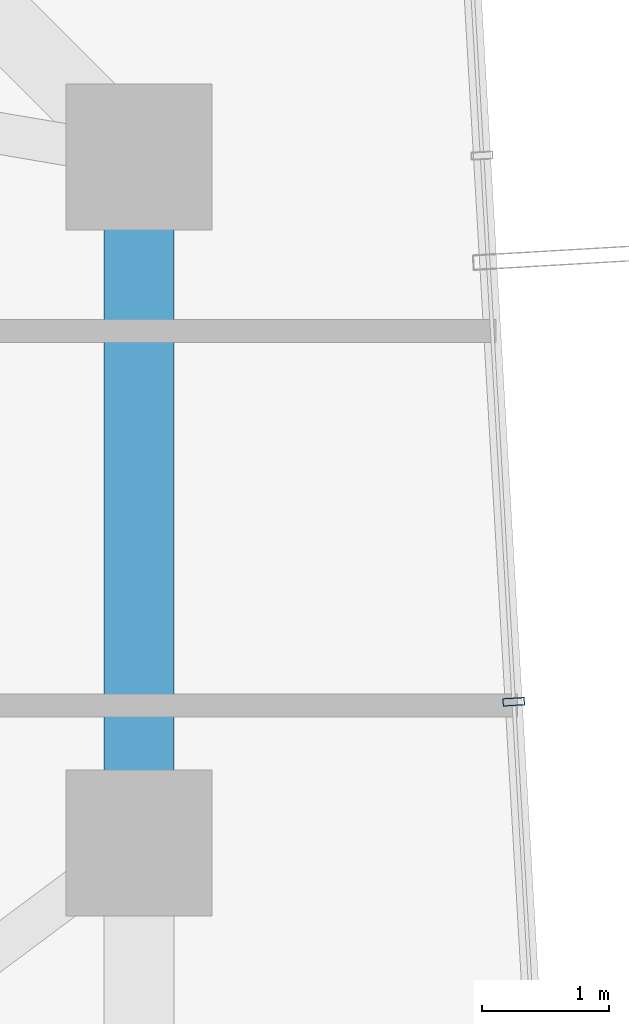
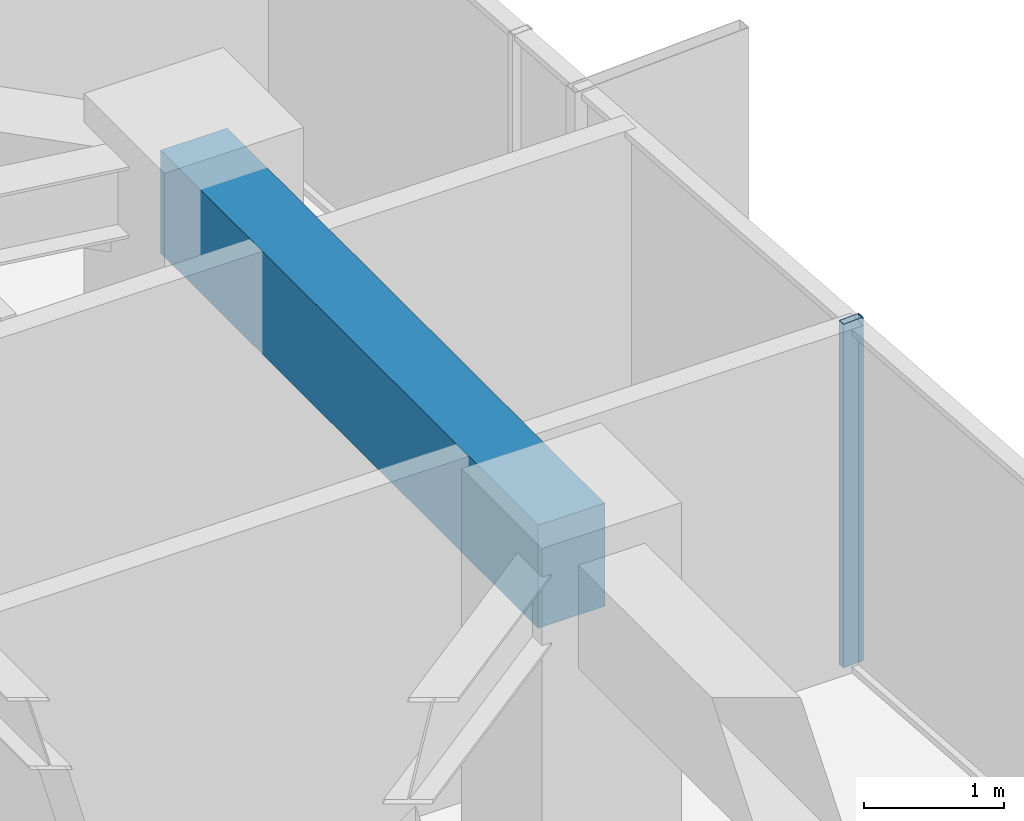
# One storey, part 15 of 33: 1 beam, 1 member, 1 element without a shape of its own.
"""IFC4 building model written with IfcOpenShell, lengths in metres."""

import ifcopenshell
import ifcopenshell.guid

model = None  # the IFC model being written
_history = None  # IfcOwnerHistory: only IFC2X3 demands one
_inside = {}  # id of a spatial element -> (the spatial element, [elements in it])
_under = {}  # id of a project, library or spatial element -> (it, [spatial elements below it])
_declared = {}  # id of a project -> (the project, [libraries it declares])
_typed = {}  # id of a type object -> (the type object, [elements of that type])
_made_of = {}  # id of a material, layer set ... -> (it, [elements and type objects made of it])


def new_model(schema):
    """Start an empty IFC model of exactly this schema.

    Asked for "IFC4X3", IfcOpenShell would pick the latest addendum, in which some entities
    have other attributes; the version numbers below select the first issue.
    IFC2X3 requires an IfcOwnerHistory on every rooted entity: one is made here for all.
    """
    global model, _history
    if schema == "IFC4X3":
        model = ifcopenshell.file(schema_version=(4, 3, 0, 0))
    else:
        model = ifcopenshell.file(schema=schema)
    _inside.clear()
    _under.clear()
    _declared.clear()
    _typed.clear()
    _made_of.clear()
    _history = None
    if model.schema == "IFC2X3":
        org = make("IfcOrganization", Name="unknown")
        user = make(
            "IfcPersonAndOrganization",
            ThePerson=make("IfcPerson", FamilyName="unknown"),
            TheOrganization=org,
        )
        app = make(
            "IfcApplication",
            ApplicationDeveloper=org,
            Version="unknown",
            ApplicationFullName="unknown",
            ApplicationIdentifier="unknown",
        )
        _history = make(
            "IfcOwnerHistory",
            OwningUser=user,
            OwningApplication=app,
            ChangeAction="ADDED",
            CreationDate=0,
        )
    return model


def make(cls, **values):
    """One entity of the class cls with the attributes given. An attribute that is None is left unset."""
    return model.create_entity(
        cls, **{name: value for name, value in values.items() if value is not None}
    )


def rooted(cls, **values):
    """An entity with a GlobalId (a new one), such as an element, a storey or a relation."""
    return make(cls, GlobalId=ifcopenshell.guid.new(), OwnerHistory=_history, **values)


def si_unit(unit_type, name, prefix=None):
    """IfcSIUnit, for example si_unit("LENGTHUNIT", "METRE", prefix="MILLI")."""
    return make("IfcSIUnit", UnitType=unit_type, Prefix=prefix, Name=name)


def assignment(units):
    """IfcUnitAssignment: the units of a project."""
    return None if units is None else make("IfcUnitAssignment", Units=units)


def point(xyz):
    """IfcCartesianPoint."""
    return None if xyz is None else make("IfcCartesianPoint", Coordinates=xyz)


def direction(xyz):
    """IfcDirection."""
    return None if xyz is None else make("IfcDirection", DirectionRatios=xyz)


def frame(location, z_axis=None, x_axis=None):
    """IfcAxis2Placement3D, a coordinate frame: its origin and axes. An axis left out is left unset."""
    return make(
        "IfcAxis2Placement3D",
        Location=point(location),
        Axis=direction(z_axis),
        RefDirection=direction(x_axis),
    )


def frame_2d(location, x_axis=None):
    """IfcAxis2Placement2D, a coordinate frame in the plane: its origin and x axis."""
    return make(
        "IfcAxis2Placement2D", Location=point(location), RefDirection=direction(x_axis)
    )


def origin():
    """The frame at (0, 0, 0) with its axes left unset."""
    return frame((0.0, 0.0, 0.0))


def origin_2d():
    """The frame at (0, 0) in the plane with its x axis left unset."""
    return frame_2d((0.0, 0.0))


def place(relative_to, where):
    """IfcLocalPlacement: puts the frame where relative to a parent placement (None: the world)."""
    return make(
        "IfcLocalPlacement", PlacementRelTo=relative_to, RelativePlacement=where
    )


def context(
    kind, dimensions, precision=None, world=None, true_north=None, identifier=None
):
    """IfcGeometricRepresentationContext, for example the 3D "Model" context."""
    return make(
        "IfcGeometricRepresentationContext",
        ContextIdentifier=identifier,
        ContextType=kind,
        CoordinateSpaceDimension=dimensions,
        Precision=precision,
        WorldCoordinateSystem=world,
        TrueNorth=true_north,
    )


def subcontext(parent, identifier, kind, view, scale=None):
    """IfcGeometricRepresentationSubContext, for example "Body" below "Model"."""
    return make(
        "IfcGeometricRepresentationSubContext",
        ContextIdentifier=identifier,
        ContextType=kind,
        ParentContext=parent,
        TargetScale=scale,
        TargetView=view,
    )


def project(units=None, contexts=None):
    """IfcProject with its units and contexts."""
    return rooted(
        "IfcProject",
        Name="project",
        RepresentationContexts=contexts,
        UnitsInContext=assignment(units),
    )


def spatial(cls, under=None, at=None, **own):
    """A site, building, storey or space (cls), placed at a placement, below another one or the project."""
    s = rooted(cls, ObjectPlacement=at, **own)
    if under is not None:
        _under.setdefault(under.id(), (under, []))[1].append(s)
    return s


def profile(cls, at=None, kind="AREA", **sizes):
    """A parametric profile (cls). Its sizes go by their IFC names, for example OverallWidth=200.0."""
    return make(cls, ProfileType=kind, Position=at, **sizes)


def rectangle(**sizes):
    """IfcRectangleProfileDef."""
    return profile("IfcRectangleProfileDef", **sizes)


def hollow_rectangle(**sizes):
    """IfcRectangleHollowProfileDef."""
    return profile("IfcRectangleHollowProfileDef", **sizes)


def extrude(swept, where, along, depth):
    """IfcExtrudedAreaSolid: the profile swept, set in the frame where, extruded along a direction by depth."""
    return make(
        "IfcExtrudedAreaSolid",
        SweptArea=swept,
        Position=where,
        ExtrudedDirection=direction(along),
        Depth=depth,
    )


def shape(context_of_items, identifier, shape_type, items):
    """IfcShapeRepresentation: the items that make up one representation, for example the "Body"."""
    return make(
        "IfcShapeRepresentation",
        ContextOfItems=context_of_items,
        RepresentationIdentifier=identifier,
        RepresentationType=shape_type,
        Items=items,
    )


def source(mapping_origin, context_of_items, identifier, shape_type, items):
    """IfcRepresentationMap: a shape defined once, which mapped items show again and again."""
    return make(
        "IfcRepresentationMap",
        MappingOrigin=mapping_origin,
        MappedRepresentation=shape(context_of_items, identifier, shape_type, items),
    )


def transform(
    local_origin,
    x_axis=None,
    y_axis=None,
    z_axis=None,
    scale=None,
    scale2=None,
    scale3=None,
    uniform=True,
):
    """IfcCartesianTransformationOperator3D, or its non-uniform kind. x_axis, y_axis, z_axis: its Axis1, 2, 3."""
    if uniform:
        return make(
            "IfcCartesianTransformationOperator3D",
            Axis1=direction(x_axis),
            Axis2=direction(y_axis),
            LocalOrigin=point(local_origin),
            Scale=scale,
            Axis3=direction(z_axis),
        )
    return make(
        "IfcCartesianTransformationOperator3DnonUniform",
        Axis1=direction(x_axis),
        Axis2=direction(y_axis),
        LocalOrigin=point(local_origin),
        Scale=scale,
        Axis3=direction(z_axis),
        Scale2=scale2,
        Scale3=scale3,
    )


def mapped(mapping_source, mapping_target):
    """IfcMappedItem: shows the shape of a source again, moved by a transform."""
    return make(
        "IfcMappedItem", MappingSource=mapping_source, MappingTarget=mapping_target
    )


def material(Name=None, Category=None):
    """IfcMaterial."""
    return make("IfcMaterial", Name=Name, Category=Category)


def layer(
    of_material, thickness, ventilated=None, Name=None, Category=None, Priority=None
):
    """IfcMaterialLayer: one layer of a wall or slab, of a material (None: an air gap)."""
    return make(
        "IfcMaterialLayer",
        Material=of_material,
        LayerThickness=thickness,
        IsVentilated=ventilated,
        Name=Name,
        Category=Category,
        Priority=Priority,
    )


def layer_set(layers, Name=None):
    """IfcMaterialLayerSet."""
    return make("IfcMaterialLayerSet", MaterialLayers=layers, LayerSetName=Name)


def material_profile(
    of_material, cross_section, Name=None, Category=None, Priority=None
):
    """IfcMaterialProfile: a cross section and its material."""
    return make(
        "IfcMaterialProfile",
        Name=Name,
        Material=of_material,
        Profile=cross_section,
        Priority=Priority,
        Category=Category,
    )


def profile_set(profiles, Name=None, composite=None):
    """IfcMaterialProfileSet."""
    return make(
        "IfcMaterialProfileSet",
        Name=Name,
        MaterialProfiles=profiles,
        CompositeProfile=composite,
    )


def made_of(thing, what):
    """Note that an element or type object is made of a material, layer set ...; save() writes the relation."""
    if what is not None:
        _made_of.setdefault(what.id(), (what, []))[1].append(thing)
    return thing


def type_object(cls, material=None, **own):
    """A type object (cls), such as IfcWallType, which elements share."""
    return made_of(rooted(cls, **own), material)


def element(
    cls,
    number,
    at=None,
    inside=None,
    cuts=None,
    type_object=None,
    material=None,
    context=None,
    identifier="Body",
    shape_type=None,
    held_by="IfcProductDefinitionShape",
    body=None,
    shapes=None,
    **own,
):
    """One element of the class cls, such as IfcWall. Its Tag is "e" and its number.

    at: its placement. inside: the storey or other place that contains it. cuts: it is an
    opening in that element (IfcRelVoidsElement). A single representation is given by context,
    identifier, shape_type and body (its items); several are given by shapes. held_by: the class
    of the entity that holds the representations. save() writes the other relations.
    """
    e = rooted(cls, Tag="e%d" % number, ObjectPlacement=at, **own)
    if body is not None:
        shapes = [shape(context, identifier, shape_type, body)]
    if shapes is not None:
        e.Representation = make(held_by, Representations=shapes)
    if inside is not None:
        _inside.setdefault(inside.id(), (inside, []))[1].append(e)
    if cuts is not None:
        rooted(
            "IfcRelVoidsElement", RelatingBuildingElement=cuts, RelatedOpeningElement=e
        )
    if type_object is not None:
        _typed.setdefault(type_object.id(), (type_object, []))[1].append(e)
    return made_of(e, material)


def aggregate(whole, parts):
    """IfcRelAggregates: a whole, such as a stair, and the parts it consists of."""
    return rooted("IfcRelAggregates", RelatingObject=whole, RelatedObjects=parts)


def save(model, path):
    """Write the relations noted so far, then the file.

    IfcRelAggregates (storeys below a building ...), IfcRelContainedInSpatialStructure (elements
    in a storey), IfcRelDefinesByType, IfcRelAssociatesMaterial and IfcRelDeclares: one each for
    every whole, place, type object, material and project.
    """
    for whole, parts in _under.values():
        aggregate(whole, parts)
    for where, things in _inside.values():
        rooted(
            "IfcRelContainedInSpatialStructure",
            RelatedElements=things,
            RelatingStructure=where,
        )
    for kind, things in _typed.values():
        rooted("IfcRelDefinesByType", RelatedObjects=things, RelatingType=kind)
    for what, things in _made_of.values():
        rooted("IfcRelAssociatesMaterial", RelatedObjects=things, RelatingMaterial=what)
    for by, libraries in _declared.values():
        rooted("IfcRelDeclares", RelatingContext=by, RelatedDefinitions=libraries)
    model.write(path)


model = new_model("IFC4")

# Units and contexts
model_context = context("Model", 3, precision=1e-05, world=origin(), true_north=direction((0.0, 1.0)))
body_context = subcontext(model_context, "Body", "Model", "MODEL_VIEW")
ifc_project = project(units=[si_unit("LENGTHUNIT", "METRE"), si_unit("AREAUNIT", "SQUARE_METRE"), si_unit("VOLUMEUNIT", "CUBIC_METRE"), si_unit("PLANEANGLEUNIT", "RADIAN"), si_unit("MASSUNIT", "GRAM", prefix="KILO")], contexts=[model_context])

# Site, building, storey
site_placement = place(None, origin())
site = spatial("IfcSite", under=ifc_project, at=site_placement, CompositionType="ELEMENT")
building_placement = place(site_placement, origin())
building = spatial("IfcBuilding", under=site, at=building_placement, Name="Veraguas Prism Commons", CompositionType="ELEMENT")
storey_placement = place(building_placement, frame((0.0, 0.0, 139.25)))
storey = spatial("IfcBuildingStorey", under=building, at=storey_placement, Name="L39", CompositionType="ELEMENT", Elevation=139.25)

# Beam
ifc_material_1 = material(Name="Concrete C50/60", Category="concrete")
ifc_material_profile_1 = material_profile(ifc_material_1, rectangle(XDim=0.550048828125, YDim=0.89990234375, at=origin_2d()), Name="RC550X900")
ifc_profile_set_1 = profile_set([ifc_material_profile_1], Name="Concrete C50/60")
beam_type = type_object("IfcBeamType", Name="Perimeter Spandrel Lower RC 550x900", PredefinedType="SPANDREL", material=ifc_profile_set_1)
beam_placement = place(storey_placement, frame((40.199951171875, 24.0, 2.550048828125), z_axis=(0.0, 1.0, 0.0), x_axis=(-1.0, 0.0, 0.0)))
element("IfcBeam", 1, at=beam_placement, inside=storey, type_object=beam_type, Name="Perimeter Spandrel Beam L39-SP02", PredefinedType="SPANDREL", context=body_context, shape_type="SweptSolid", body=[
    extrude(rectangle(XDim=0.550048828125, YDim=0.89990234375, at=origin_2d()), origin(), (0.0, 0.0, 1.0), 5.39990234375),
])

# Curtain wall, member
ifc_material_2 = material(Name="Anodised aluminium EN AW-6063 T6", Category="aluminium")
ifc_layer = layer(ifc_material_2, 0.169921875, Name="Unitised Flush Curtain Wall Zone 2", Category="aluminium")
ifc_layer_set = layer_set([ifc_layer], Name="Anodised aluminium EN AW-6063 T6")
curtain_wall_type = type_object("IfcCurtainWallType", Name="Unitised Flush Curtain Wall Zone 2", PredefinedType="NOTDEFINED", material=ifc_layer_set)
curtain_wall_placement = place(storey_placement, origin())
curtain_wall = element("IfcCurtainWall", 2, at=curtain_wall_placement, inside=storey, type_object=curtain_wall_type, Name="Tower Facade Curtain Wall L39-F6", PredefinedType="NOTDEFINED")
ifc_material_profile_2 = material_profile(ifc_material_2, hollow_rectangle(XDim=0.06005859375, YDim=0.169921875, WallThickness=0.00390625, at=origin_2d()), Name="AL60X170X4")
ifc_profile_set_2 = profile_set([ifc_material_profile_2], Name="Anodised aluminium EN AW-6063 T6")
member_type = type_object("IfcMemberType", Name="Curtain Wall Mullion Lower AL 60x170x4", PredefinedType="MULLION", material=ifc_profile_set_2)
shared_shape = source(origin(), body_context, "Body", "SweptSolid", [
    extrude(hollow_rectangle(XDim=0.06005859375, YDim=0.169921875, WallThickness=0.00390625, at=origin_2d()), origin(), (0.0, 0.0, 1.0), 3.0),
])
member_placement = place(storey_placement, frame((43.150390625, 25.11083984375, 0.0), z_axis=(0.0, 0.0, 1.0), x_axis=(-0.05790728328, 0.998321965371, 0.0)))
member = element("IfcMember", 3, at=member_placement, type_object=member_type, Name="CW-Z2 Mullion 3", PredefinedType="MULLION", context=body_context, shape_type="MappedRepresentation", body=[
    mapped(shared_shape, transform((0.0, 0.0, 0.0), scale=1.0)),
])
aggregate(curtain_wall, [member])

save(model, "model.ifc")
